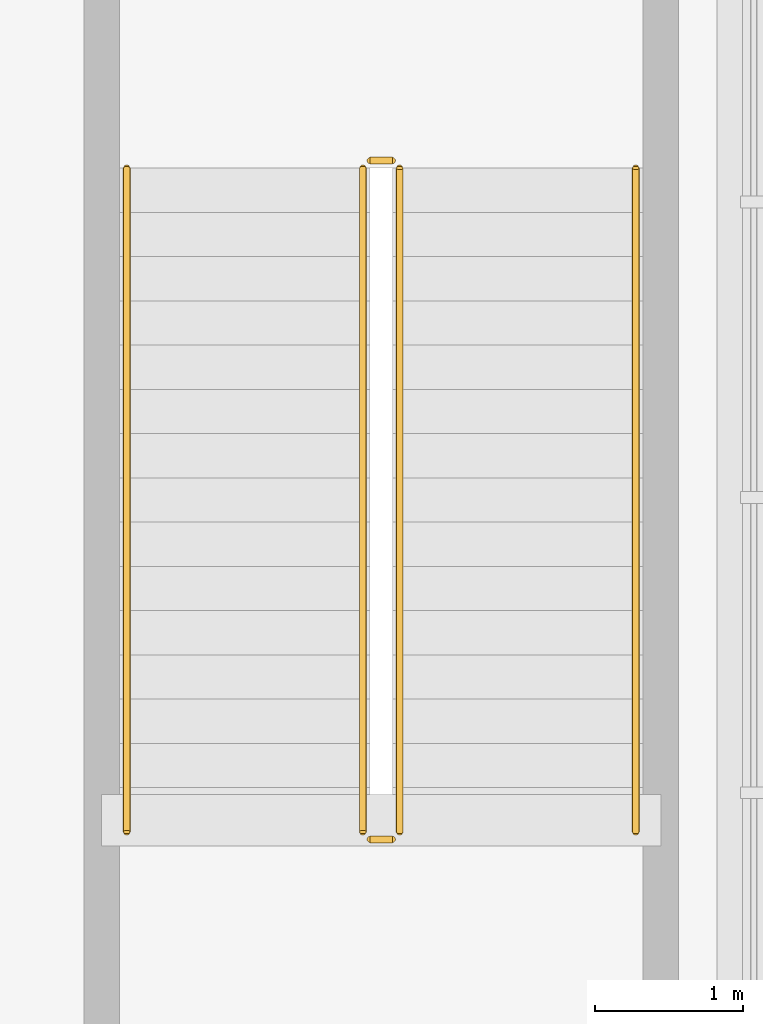
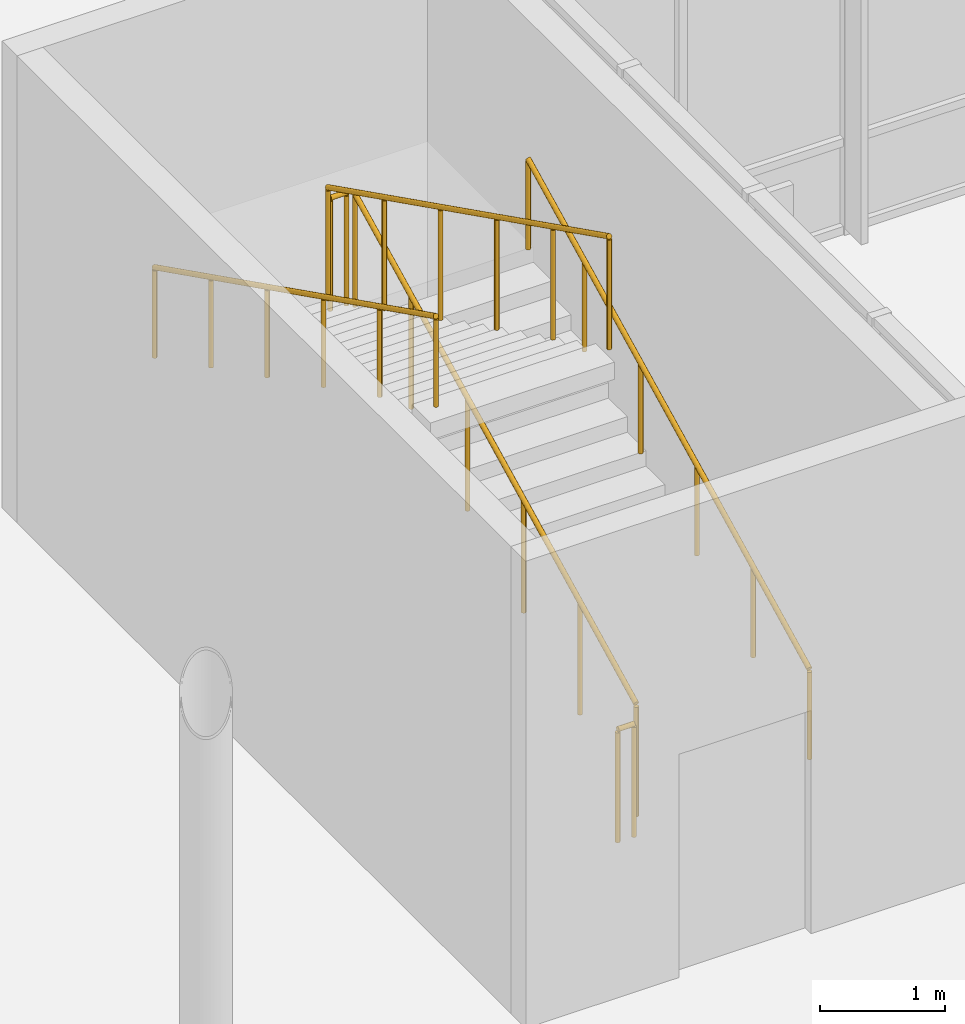
# One storey, part 75 of 82: 6 railings.
"""IFC4 building model written with IfcOpenShell, lengths in metres."""

from ifc_helpers import new_model, si_unit, direction, frame, origin, origin_2d, place, context, subcontext, project, spatial, circle, extrude, material, layer, layer_set, type_object, element, save


model = new_model("IFC4")

# Units and contexts
model_context = context("Model", 3, precision=1e-05, world=origin(), true_north=direction((0.0, 1.0)))
body_context = subcontext(model_context, "Body", "Model", "MODEL_VIEW")
ifc_project = project(units=[si_unit("LENGTHUNIT", "METRE"), si_unit("AREAUNIT", "SQUARE_METRE"), si_unit("VOLUMEUNIT", "CUBIC_METRE"), si_unit("PLANEANGLEUNIT", "RADIAN"), si_unit("MASSUNIT", "GRAM", prefix="KILO")], contexts=[model_context])

# Site, building, storey
site_placement = place(None, origin())
site = spatial("IfcSite", under=ifc_project, at=site_placement, CompositionType="ELEMENT")
building_placement = place(site_placement, origin())
building = spatial("IfcBuilding", under=site, at=building_placement, Name="Yukiwa Park Conservatory and Herbarium", CompositionType="ELEMENT")
storey_placement = place(building_placement, origin())
storey = spatial("IfcBuildingStorey", under=building, at=storey_placement, Name="L00", CompositionType="ELEMENT", Elevation=0.0)

# Railings
ifc_material_1 = material(Name="Steel Q235B", Category="steel")
ifc_layer_1 = layer(ifc_material_1, 0.050048828125)
ifc_layer_set_1 = layer_set([ifc_layer_1], Name="Steel Q235B")
railing_type_1 = type_object("IfcRailingType", Name="RL-STAIR-GUARD-1120", PredefinedType="BALUSTRADE", material=ifc_layer_set_1)
railing_1_placement = place(storey_placement, frame((57.60009765625, 9.14990234375, 0.14990234375)))
element("IfcRailing", 1, at=railing_1_placement, inside=storey, type_object=railing_type_1, Name="L00 ST-C2 stair guard 1", PredefinedType="BALUSTRADE", context=body_context, shape_type="SweptSolid", body=[
    extrude(circle(Radius=0.02392578125, at=origin_2d()), frame((0.0, 0.0, 1.09619140625), z_axis=(0.0, 0.894427191, 0.4472135955), x_axis=(-1.0, 0.0, 0.0)), (0.0, 0.0, 1.0), 5.03125),
    extrude(circle(Radius=0.02099609375, at=origin_2d()), origin(), (0.0, 0.0, 1.0), 1.072021484375),
    extrude(circle(Radius=0.02099609375, at=origin_2d()), frame((0.0, 0.89990234375, 0.449951171875)), (0.0, 0.0, 1.0), 1.072021484375),
    extrude(circle(Radius=0.02099609375, at=origin_2d()), frame((0.0, 1.800048828125, 0.89990234375)), (0.0, 0.0, 1.0), 1.072021484375),
    extrude(circle(Radius=0.02099609375, at=origin_2d()), frame((0.0, 2.699951171875, 1.35009765625)), (0.0, 0.0, 1.0), 1.072021484375),
    extrude(circle(Radius=0.02099609375, at=origin_2d()), frame((0.0, 3.60009765625, 1.800048828125)), (0.0, 0.0, 1.0), 1.072021484375),
    extrude(circle(Radius=0.02099609375, at=origin_2d()), frame((0.0, 4.5, 2.25)), (0.0, 0.0, 1.0), 1.072021484375),
])
railing_2_placement = place(storey_placement, frame((57.550048828125, 13.699951171875, 2.39990234375)))
element("IfcRailing", 2, at=railing_2_placement, inside=storey, type_object=railing_type_1, Name="L00 ST-C2 stair guard 2", PredefinedType="BALUSTRADE", context=body_context, shape_type="SweptSolid", body=[
    extrude(circle(Radius=0.02392578125, at=origin_2d()), frame((0.0, 0.0, 1.09619140625), z_axis=(-1.0, 0.0, 0.0), x_axis=(0.0, -1.0, 0.0)), (0.0, 0.0, 1.0), 0.150146484375),
    extrude(circle(Radius=0.02099609375, at=origin_2d()), origin(), (0.0, 0.0, 1.0), 1.072021484375),
    extrude(circle(Radius=0.02099609375, at=origin_2d()), frame((-0.150146484375, 0.0, 0.0)), (0.0, 0.0, 1.0), 1.072021484375),
])
railing_3_placement = place(storey_placement, frame((57.35009765625, 13.64990234375, 2.550048828125)))
element("IfcRailing", 3, at=railing_3_placement, inside=storey, type_object=railing_type_1, Name="L00 ST-C2 stair guard 3", PredefinedType="BALUSTRADE", context=body_context, shape_type="SweptSolid", body=[
    extrude(circle(Radius=0.02392578125, at=origin_2d()), frame((0.0, 0.0, 1.09619140625), z_axis=(0.0, -0.894427191, 0.4472135955), x_axis=(1.0, 0.0, 0.0)), (0.0, 0.0, 1.0), 5.03125),
    extrude(circle(Radius=0.02099609375, at=origin_2d()), origin(), (0.0, 0.0, 1.0), 1.072021484375),
    extrude(circle(Radius=0.02099609375, at=origin_2d()), frame((0.0, -0.89990234375, 0.449951171875)), (0.0, 0.0, 1.0), 1.072021484375),
    extrude(circle(Radius=0.02099609375, at=origin_2d()), frame((0.0, -1.800048828125, 0.89990234375)), (0.0, 0.0, 1.0), 1.072021484375),
    extrude(circle(Radius=0.02099609375, at=origin_2d()), frame((0.0, -2.699951171875, 1.35009765625)), (0.0, 0.0, 1.0), 1.072021484375),
    extrude(circle(Radius=0.02099609375, at=origin_2d()), frame((0.0, -3.60009765625, 1.800048828125)), (0.0, 0.0, 1.0), 1.072021484375),
    extrude(circle(Radius=0.02099609375, at=origin_2d()), frame((0.0, -4.5, 2.25)), (0.0, 0.0, 1.0), 1.072021484375),
])
railing_4_placement = place(storey_placement, frame((57.550048828125, 9.10009765625, 0.0)))
element("IfcRailing", 4, at=railing_4_placement, inside=storey, type_object=railing_type_1, Name="L00 ST-C2 stair guard 4", PredefinedType="BALUSTRADE", context=body_context, shape_type="SweptSolid", body=[
    extrude(circle(Radius=0.02392578125, at=origin_2d()), frame((0.0, 0.0, 1.09619140625), z_axis=(-1.0, 0.0, 0.0), x_axis=(0.0, -1.0, 0.0)), (0.0, 0.0, 1.0), 0.150146484375),
    extrude(circle(Radius=0.02099609375, at=origin_2d()), origin(), (0.0, 0.0, 1.0), 1.072021484375),
    extrude(circle(Radius=0.02099609375, at=origin_2d()), frame((-0.150146484375, 0.0, 0.0)), (0.0, 0.0, 1.0), 1.072021484375),
])
ifc_material_2 = material(Name="Steel Q235B", Category="steel")
ifc_layer_2 = layer(ifc_material_2, 0.044921875)
ifc_layer_set_2 = layer_set([ifc_layer_2], Name="Steel Q235B")
railing_type_2 = type_object("IfcRailingType", Name="RL-STAIR-RAIL-900", PredefinedType="HANDRAIL", material=ifc_layer_set_2)
railing_5_placement = place(storey_placement, frame((59.199951171875, 9.14990234375, 0.14990234375)))
element("IfcRailing", 5, at=railing_5_placement, inside=storey, type_object=railing_type_2, Name="L00 ST-C2 stair handrail 1", PredefinedType="HANDRAIL", context=body_context, shape_type="SweptSolid", body=[
    extrude(circle(Radius=0.02392578125, at=origin_2d()), frame((0.0, 0.0, 0.8759765625), z_axis=(0.0, 0.894427191, 0.4472135955), x_axis=(-1.0, 0.0, 0.0)), (0.0, 0.0, 1.0), 5.03125),
    extrude(circle(Radius=0.02099609375, at=origin_2d()), origin(), (0.0, 0.0, 1.0), 0.851806640625),
    extrude(circle(Radius=0.02099609375, at=origin_2d()), frame((0.0, 0.89990234375, 0.449951171875)), (0.0, 0.0, 1.0), 0.851806640625),
    extrude(circle(Radius=0.02099609375, at=origin_2d()), frame((0.0, 1.800048828125, 0.89990234375)), (0.0, 0.0, 1.0), 0.851806640625),
    extrude(circle(Radius=0.02099609375, at=origin_2d()), frame((0.0, 2.699951171875, 1.35009765625)), (0.0, 0.0, 1.0), 0.851806640625),
    extrude(circle(Radius=0.02099609375, at=origin_2d()), frame((0.0, 3.60009765625, 1.800048828125)), (0.0, 0.0, 1.0), 0.851806640625),
    extrude(circle(Radius=0.02099609375, at=origin_2d()), frame((0.0, 4.5, 2.25)), (0.0, 0.0, 1.0), 0.851806640625),
])
railing_6_placement = place(storey_placement, frame((55.75, 13.64990234375, 2.550048828125)))
element("IfcRailing", 6, at=railing_6_placement, inside=storey, type_object=railing_type_2, Name="L00 ST-C2 stair handrail 2", PredefinedType="HANDRAIL", context=body_context, shape_type="SweptSolid", body=[
    extrude(circle(Radius=0.02392578125, at=origin_2d()), frame((0.0, 0.0, 0.8759765625), z_axis=(0.0, -0.894427191, 0.4472135955), x_axis=(1.0, 0.0, 0.0)), (0.0, 0.0, 1.0), 5.03125),
    extrude(circle(Radius=0.02099609375, at=origin_2d()), origin(), (0.0, 0.0, 1.0), 0.851806640625),
    extrude(circle(Radius=0.02099609375, at=origin_2d()), frame((0.0, -0.89990234375, 0.449951171875)), (0.0, 0.0, 1.0), 0.851806640625),
    extrude(circle(Radius=0.02099609375, at=origin_2d()), frame((0.0, -1.800048828125, 0.89990234375)), (0.0, 0.0, 1.0), 0.851806640625),
    extrude(circle(Radius=0.02099609375, at=origin_2d()), frame((0.0, -2.699951171875, 1.35009765625)), (0.0, 0.0, 1.0), 0.851806640625),
    extrude(circle(Radius=0.02099609375, at=origin_2d()), frame((0.0, -3.60009765625, 1.800048828125)), (0.0, 0.0, 1.0), 0.851806640625),
    extrude(circle(Radius=0.02099609375, at=origin_2d()), frame((0.0, -4.5, 2.25)), (0.0, 0.0, 1.0), 0.851806640625),
])

save(model, "model.ifc")
